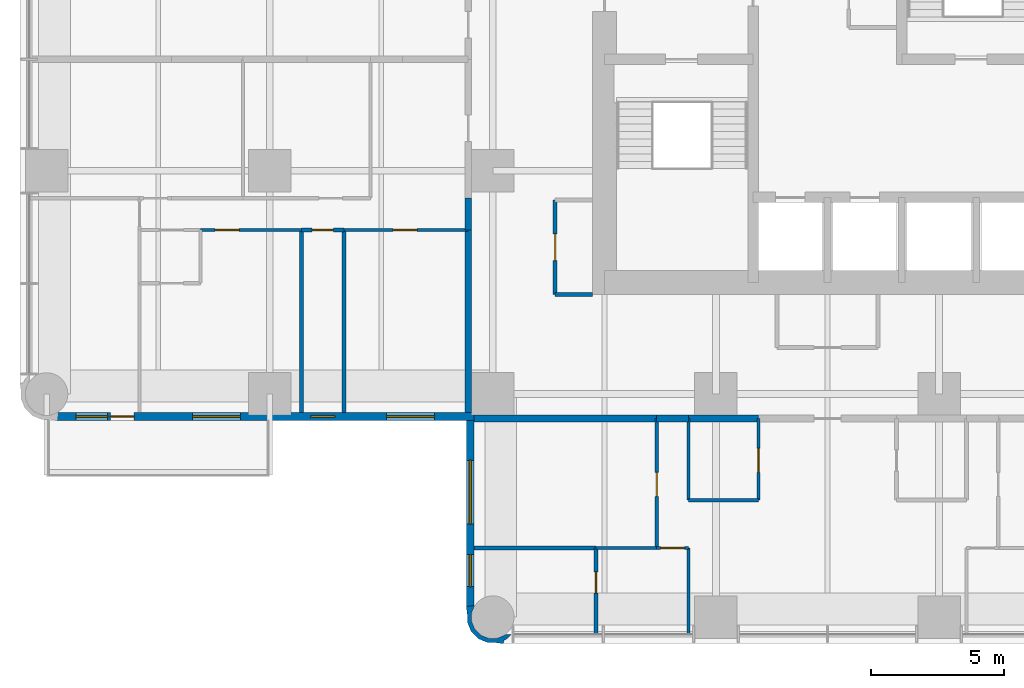
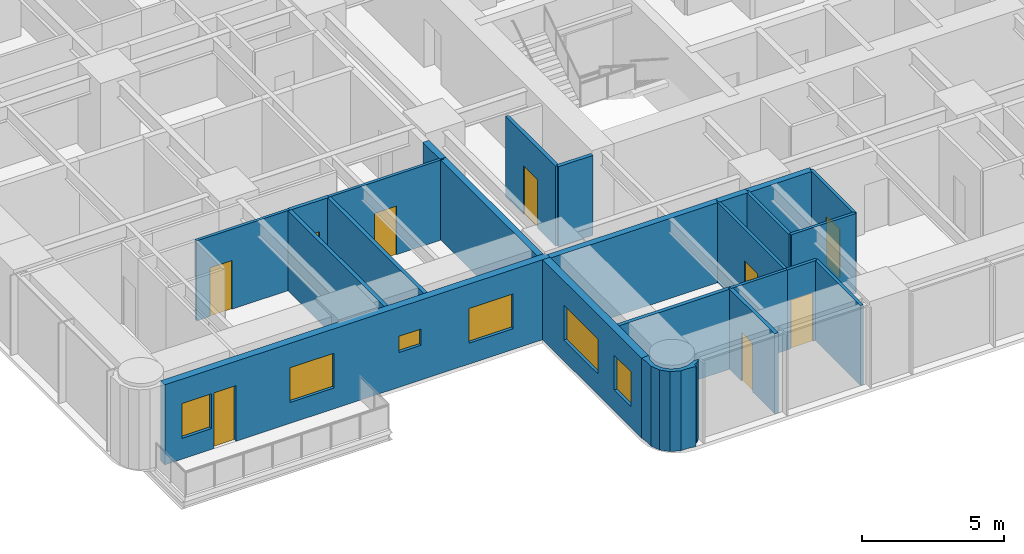
# One storey, part 6 of 15: 24 walls, 9 doors, 6 windows, 15 openings.
"""IFC4 building model written with IfcOpenShell, lengths in metres."""

import ifcopenshell
import ifcopenshell.guid

model = None  # the IFC model being written
_history = None  # IfcOwnerHistory: only IFC2X3 demands one
_inside = {}  # id of a spatial element -> (the spatial element, [elements in it])
_under = {}  # id of a project, library or spatial element -> (it, [spatial elements below it])
_declared = {}  # id of a project -> (the project, [libraries it declares])
_typed = {}  # id of a type object -> (the type object, [elements of that type])
_made_of = {}  # id of a material, layer set ... -> (it, [elements and type objects made of it])


def new_model(schema):
    """Start an empty IFC model of exactly this schema.

    Asked for "IFC4X3", IfcOpenShell would pick the latest addendum, in which some entities
    have other attributes; the version numbers below select the first issue.
    IFC2X3 requires an IfcOwnerHistory on every rooted entity: one is made here for all.
    """
    global model, _history
    if schema == "IFC4X3":
        model = ifcopenshell.file(schema_version=(4, 3, 0, 0))
    else:
        model = ifcopenshell.file(schema=schema)
    _inside.clear()
    _under.clear()
    _declared.clear()
    _typed.clear()
    _made_of.clear()
    _history = None
    if model.schema == "IFC2X3":
        org = make("IfcOrganization", Name="unknown")
        user = make(
            "IfcPersonAndOrganization",
            ThePerson=make("IfcPerson", FamilyName="unknown"),
            TheOrganization=org,
        )
        app = make(
            "IfcApplication",
            ApplicationDeveloper=org,
            Version="unknown",
            ApplicationFullName="unknown",
            ApplicationIdentifier="unknown",
        )
        _history = make(
            "IfcOwnerHistory",
            OwningUser=user,
            OwningApplication=app,
            ChangeAction="ADDED",
            CreationDate=0,
        )
    return model


def make(cls, **values):
    """One entity of the class cls with the attributes given. An attribute that is None is left unset."""
    return model.create_entity(
        cls, **{name: value for name, value in values.items() if value is not None}
    )


def rooted(cls, **values):
    """An entity with a GlobalId (a new one), such as an element, a storey or a relation."""
    return make(cls, GlobalId=ifcopenshell.guid.new(), OwnerHistory=_history, **values)


def si_unit(unit_type, name, prefix=None):
    """IfcSIUnit, for example si_unit("LENGTHUNIT", "METRE", prefix="MILLI")."""
    return make("IfcSIUnit", UnitType=unit_type, Prefix=prefix, Name=name)


def assignment(units):
    """IfcUnitAssignment: the units of a project."""
    return None if units is None else make("IfcUnitAssignment", Units=units)


def point(xyz):
    """IfcCartesianPoint."""
    return None if xyz is None else make("IfcCartesianPoint", Coordinates=xyz)


def direction(xyz):
    """IfcDirection."""
    return None if xyz is None else make("IfcDirection", DirectionRatios=xyz)


def frame(location, z_axis=None, x_axis=None):
    """IfcAxis2Placement3D, a coordinate frame: its origin and axes. An axis left out is left unset."""
    return make(
        "IfcAxis2Placement3D",
        Location=point(location),
        Axis=direction(z_axis),
        RefDirection=direction(x_axis),
    )


def frame_2d(location, x_axis=None):
    """IfcAxis2Placement2D, a coordinate frame in the plane: its origin and x axis."""
    return make(
        "IfcAxis2Placement2D", Location=point(location), RefDirection=direction(x_axis)
    )


def origin():
    """The frame at (0, 0, 0) with its axes left unset."""
    return frame((0.0, 0.0, 0.0))


def place(relative_to, where):
    """IfcLocalPlacement: puts the frame where relative to a parent placement (None: the world)."""
    return make(
        "IfcLocalPlacement", PlacementRelTo=relative_to, RelativePlacement=where
    )


def context(
    kind, dimensions, precision=None, world=None, true_north=None, identifier=None
):
    """IfcGeometricRepresentationContext, for example the 3D "Model" context."""
    return make(
        "IfcGeometricRepresentationContext",
        ContextIdentifier=identifier,
        ContextType=kind,
        CoordinateSpaceDimension=dimensions,
        Precision=precision,
        WorldCoordinateSystem=world,
        TrueNorth=true_north,
    )


def subcontext(parent, identifier, kind, view, scale=None):
    """IfcGeometricRepresentationSubContext, for example "Body" below "Model"."""
    return make(
        "IfcGeometricRepresentationSubContext",
        ContextIdentifier=identifier,
        ContextType=kind,
        ParentContext=parent,
        TargetScale=scale,
        TargetView=view,
    )


def project(units=None, contexts=None):
    """IfcProject with its units and contexts."""
    return rooted(
        "IfcProject",
        Name="project",
        RepresentationContexts=contexts,
        UnitsInContext=assignment(units),
    )


def spatial(cls, under=None, at=None, **own):
    """A site, building, storey or space (cls), placed at a placement, below another one or the project."""
    s = rooted(cls, ObjectPlacement=at, **own)
    if under is not None:
        _under.setdefault(under.id(), (under, []))[1].append(s)
    return s


def polyline(points):
    """IfcPolyline through the points."""
    return make("IfcPolyline", Points=[point(p) for p in points])


def profile(cls, at=None, kind="AREA", **sizes):
    """A parametric profile (cls). Its sizes go by their IFC names, for example OverallWidth=200.0."""
    return make(cls, ProfileType=kind, Position=at, **sizes)


def rectangle(**sizes):
    """IfcRectangleProfileDef."""
    return profile("IfcRectangleProfileDef", **sizes)


def outline(outer, holes=None, kind="AREA"):
    """IfcArbitraryClosedProfileDef: a profile drawn as a closed curve; with holes, ...WithVoids."""
    if holes is None:
        return make("IfcArbitraryClosedProfileDef", ProfileType=kind, OuterCurve=outer)
    return make(
        "IfcArbitraryProfileDefWithVoids",
        ProfileType=kind,
        OuterCurve=outer,
        InnerCurves=holes,
    )


def extrude(swept, where, along, depth):
    """IfcExtrudedAreaSolid: the profile swept, set in the frame where, extruded along a direction by depth."""
    return make(
        "IfcExtrudedAreaSolid",
        SweptArea=swept,
        Position=where,
        ExtrudedDirection=direction(along),
        Depth=depth,
    )


def shape(context_of_items, identifier, shape_type, items):
    """IfcShapeRepresentation: the items that make up one representation, for example the "Body"."""
    return make(
        "IfcShapeRepresentation",
        ContextOfItems=context_of_items,
        RepresentationIdentifier=identifier,
        RepresentationType=shape_type,
        Items=items,
    )


def material(Name=None, Category=None):
    """IfcMaterial."""
    return make("IfcMaterial", Name=Name, Category=Category)


def layer(
    of_material, thickness, ventilated=None, Name=None, Category=None, Priority=None
):
    """IfcMaterialLayer: one layer of a wall or slab, of a material (None: an air gap)."""
    return make(
        "IfcMaterialLayer",
        Material=of_material,
        LayerThickness=thickness,
        IsVentilated=ventilated,
        Name=Name,
        Category=Category,
        Priority=Priority,
    )


def layer_set(layers, Name=None):
    """IfcMaterialLayerSet."""
    return make("IfcMaterialLayerSet", MaterialLayers=layers, LayerSetName=Name)


def made_of(thing, what):
    """Note that an element or type object is made of a material, layer set ...; save() writes the relation."""
    if what is not None:
        _made_of.setdefault(what.id(), (what, []))[1].append(thing)
    return thing


def type_object(cls, material=None, **own):
    """A type object (cls), such as IfcWallType, which elements share."""
    return made_of(rooted(cls, **own), material)


def element(
    cls,
    number,
    at=None,
    inside=None,
    cuts=None,
    type_object=None,
    material=None,
    context=None,
    identifier="Body",
    shape_type=None,
    held_by="IfcProductDefinitionShape",
    body=None,
    shapes=None,
    **own,
):
    """One element of the class cls, such as IfcWall. Its Tag is "e" and its number.

    at: its placement. inside: the storey or other place that contains it. cuts: it is an
    opening in that element (IfcRelVoidsElement). A single representation is given by context,
    identifier, shape_type and body (its items); several are given by shapes. held_by: the class
    of the entity that holds the representations. save() writes the other relations.
    """
    e = rooted(cls, Tag="e%d" % number, ObjectPlacement=at, **own)
    if body is not None:
        shapes = [shape(context, identifier, shape_type, body)]
    if shapes is not None:
        e.Representation = make(held_by, Representations=shapes)
    if inside is not None:
        _inside.setdefault(inside.id(), (inside, []))[1].append(e)
    if cuts is not None:
        rooted(
            "IfcRelVoidsElement", RelatingBuildingElement=cuts, RelatedOpeningElement=e
        )
    if type_object is not None:
        _typed.setdefault(type_object.id(), (type_object, []))[1].append(e)
    return made_of(e, material)


def fill(opening, filler):
    """IfcRelFillsElement: the door or window that sits in an opening."""
    return rooted(
        "IfcRelFillsElement",
        RelatingOpeningElement=opening,
        RelatedBuildingElement=filler,
    )


def aggregate(whole, parts):
    """IfcRelAggregates: a whole, such as a stair, and the parts it consists of."""
    return rooted("IfcRelAggregates", RelatingObject=whole, RelatedObjects=parts)


def save(model, path):
    """Write the relations noted so far, then the file.

    IfcRelAggregates (storeys below a building ...), IfcRelContainedInSpatialStructure (elements
    in a storey), IfcRelDefinesByType, IfcRelAssociatesMaterial and IfcRelDeclares: one each for
    every whole, place, type object, material and project.
    """
    for whole, parts in _under.values():
        aggregate(whole, parts)
    for where, things in _inside.values():
        rooted(
            "IfcRelContainedInSpatialStructure",
            RelatedElements=things,
            RelatingStructure=where,
        )
    for kind, things in _typed.values():
        rooted("IfcRelDefinesByType", RelatedObjects=things, RelatingType=kind)
    for what, things in _made_of.values():
        rooted("IfcRelAssociatesMaterial", RelatedObjects=things, RelatingMaterial=what)
    for by, libraries in _declared.values():
        rooted("IfcRelDeclares", RelatingContext=by, RelatedDefinitions=libraries)
    model.write(path)


model = new_model("IFC4")

# Units and contexts
model_context = context("Model", 3, precision=1e-05, world=origin(), true_north=direction((0.0, 1.0)))
body_context = subcontext(model_context, "Body", "Model", "MODEL_VIEW")
ifc_project = project(units=[si_unit("LENGTHUNIT", "METRE"), si_unit("AREAUNIT", "SQUARE_METRE"), si_unit("VOLUMEUNIT", "CUBIC_METRE"), si_unit("PLANEANGLEUNIT", "RADIAN"), si_unit("MASSUNIT", "GRAM", prefix="KILO")], contexts=[model_context])

# Site, building, storey
site_placement = place(None, origin())
site = spatial("IfcSite", under=ifc_project, at=site_placement, CompositionType="ELEMENT")
building_placement = place(site_placement, origin())
building = spatial("IfcBuilding", under=site, at=building_placement, Name="Torre Alcanfor", CompositionType="ELEMENT")
storey_placement = place(building_placement, frame((0.0, 0.0, 119.699951171875)))
storey = spatial("IfcBuildingStorey", under=building, at=storey_placement, Name="L30", CompositionType="ELEMENT", Elevation=119.699951171875)

# Walls
ifc_material_1 = material(Name="Concrete block masonry, hollow blocks NMX-C-404 9 MPa", Category="masonry")
ifc_layer_1 = layer(ifc_material_1, 0.25)
ifc_layer_set_1 = layer_set([ifc_layer_1], Name="Apartment entrance wall 250 EI 60")
wall_type_1 = type_object("IfcWallType", Name="Apartment entrance wall 250 EI 60", PredefinedType="PARTITIONING", material=ifc_layer_set_1)
wall_1_placement = place(storey_placement, frame((26.800048828125, 15.875, 0.0), z_axis=(0.0, 0.0, 1.0), x_axis=(-1.0, 0.0, 0.0)))
element("IfcWall", 1, at=wall_1_placement, inside=storey, type_object=wall_type_1, Name="Partition L30-CORR / L30-SX-KITCHEN", PredefinedType="PARTITIONING", context=body_context, shape_type="SweptSolid", body=[
    extrude(rectangle(XDim=2.629150390625, YDim=0.25, at=frame_2d((1.314453125, 0.0))), origin(), (0.0, 0.0, 1.0), 3.449951171875),
])
wall_2_placement = place(storey_placement, frame((24.1708984375, 15.875, 0.0), z_axis=(0.0, 0.0, 1.0), x_axis=(-1.0, 0.0, 0.0)))
element("IfcWall", 2, at=wall_2_placement, inside=storey, type_object=wall_type_1, Name="Partition L30-CORR / L30-SX-LIVING", PredefinedType="PARTITIONING", context=body_context, shape_type="SweptSolid", body=[
    extrude(rectangle(XDim=1.199951171875, YDim=0.25, at=frame_2d((0.60009765625, 0.0))), origin(), (0.0, 0.0, 1.0), 3.449951171875),
])
wall_3_placement = place(storey_placement, frame((22.970947265625, 15.875, 0.0), z_axis=(0.0, 0.0, 1.0), x_axis=(-1.0, 0.0, 0.0)))
element("IfcWall", 3, at=wall_3_placement, inside=storey, type_object=wall_type_1, Name="Partition L30-CORR / L30-SX-BED3", PredefinedType="PARTITIONING", context=body_context, shape_type="SweptSolid", body=[
    extrude(rectangle(XDim=6.870849609375, YDim=0.25, at=frame_2d((3.435546875, 0.0))), origin(), (0.0, 0.0, 1.0), 3.449951171875),
])
wall_4_placement = place(storey_placement, frame((15.875, 22.970947265625, 0.0), z_axis=(0.0, 0.0, 1.0), x_axis=(0.0, 1.0, 0.0)))
element("IfcWall", 4, at=wall_4_placement, inside=storey, type_object=wall_type_1, Name="Partition L30-CORR / L30-W1-HALL", PredefinedType="PARTITIONING", context=body_context, shape_type="SweptSolid", body=[
    extrude(rectangle(XDim=1.199951171875, YDim=0.25, at=frame_2d((0.60009765625, 0.0))), origin(), (0.0, 0.0, 1.0), 3.449951171875),
])
wall_5_placement = place(storey_placement, frame((15.875, 16.10009765625, 0.0), z_axis=(0.0, 0.0, 1.0), x_axis=(0.0, 1.0, 0.0)))
element("IfcWall", 5, at=wall_5_placement, inside=storey, type_object=wall_type_1, Name="Partition L30-CORR / L30-W1-BED2", PredefinedType="PARTITIONING", context=body_context, shape_type="SweptSolid", body=[
    extrude(rectangle(XDim=6.870849609375, YDim=0.25, at=frame_2d((3.435546875, 0.0))), origin(), (0.0, 0.0, 1.0), 3.449951171875),
])

# Wall, opening, door
ifc_material_2 = material(Name="Gypsum board on steel studs", Category="steel")
ifc_layer_2 = layer(ifc_material_2, 0.1201171875)
ifc_layer_set_2 = layer_set([ifc_layer_2], Name="Apartment partition 120")
wall_type_2 = type_object("IfcWallType", Name="Apartment partition 120", PredefinedType="PARTITIONING", material=ifc_layer_set_2)
wall_6_placement = place(storey_placement, frame((26.800048828125, 15.875, 0.0), z_axis=(0.0, 0.0, 1.0), x_axis=(0.0, -1.0, 0.0)))
wall_6 = element("IfcWall", 6, at=wall_6_placement, inside=storey, type_object=wall_type_2, Name="Partition L30-SX-ZAG / L30-SX-KITCHEN", PredefinedType="PARTITIONING", context=body_context, shape_type="SweptSolid", body=[
    extrude(rectangle(XDim=3.074951171875, YDim=0.1201171875, at=frame_2d((1.53759765625, 0.0))), origin(), (0.0, 0.0, 1.0), 3.449951171875),
])
opening_1_placement = place(wall_6_placement, frame((1.125, 0.0, 0.0)))
opening_1 = element("IfcOpeningElement", 7, at=opening_1_placement, cuts=wall_6, Name="Opening D-R1", PredefinedType="OPENING", context=body_context, shape_type="SweptSolid", body=[
    extrude(rectangle(XDim=0.89990234375, YDim=2.10009765625, at=frame_2d((0.449951171875, 1.050048828125))), frame((0.0, 0.070068359375, 0.0), z_axis=(0.0, -1.0, 0.0), x_axis=(1.0, 0.0, 0.0)), (0.0, 0.0, 1.0), 0.14013671875),
])
ifc_material_3 = material(Name="Timber", Category="wood")
door_type_1 = type_object("IfcDoorType", Name="Internal door 900x2100", OperationType="SINGLE_SWING_LEFT", PredefinedType="DOOR", material=ifc_material_3)
door_1_placement = place(opening_1_placement, frame((0.89990234375, 0.0, 0.0), z_axis=(0.0, 0.0, 1.0), x_axis=(-1.0, 0.0, 0.0)))
door_1 = element("IfcDoor", 8, at=door_1_placement, inside=storey, type_object=door_type_1, Name="Door L30-SX kitchen", OperationType="SINGLE_SWING_LEFT", OverallHeight=2.10009765625, OverallWidth=0.89990234375, PredefinedType="DOOR", context=body_context, shape_type="SweptSolid", body=[
    extrude(rectangle(XDim=0.89990234375, YDim=2.10009765625, at=frame_2d((0.449951171875, 1.050048828125))), frame((0.0, 0.025146484375, 0.0), z_axis=(0.0, -1.0, 0.0), x_axis=(1.0, 0.0, 0.0)), (0.0, 0.0, 1.0), 0.050048828125),
])
fill(opening_1, door_1)

# Walls
wall_7_placement = place(storey_placement, frame((24.1708984375, 15.875, 0.0), z_axis=(0.0, 0.0, 1.0), x_axis=(0.0, -1.0, 0.0)))
element("IfcWall", 9, at=wall_7_placement, inside=storey, type_object=wall_type_2, Name="Partition L30-SX-KITCHEN / L30-SX-LIVING", PredefinedType="PARTITIONING", context=body_context, shape_type="SweptSolid", body=[
    extrude(rectangle(XDim=3.074951171875, YDim=0.1201171875, at=frame_2d((1.53759765625, 0.0))), origin(), (0.0, 0.0, 1.0), 3.449951171875),
])
wall_8_placement = place(storey_placement, frame((24.1708984375, 12.800048828125, 0.0), z_axis=(0.0, 0.0, 1.0), x_axis=(1.0, 0.0, 0.0)))
element("IfcWall", 10, at=wall_8_placement, inside=storey, type_object=wall_type_2, Name="Partition L30-SX-KITCHEN / L30-SX-LIVING", PredefinedType="PARTITIONING", context=body_context, shape_type="SweptSolid", body=[
    extrude(rectangle(XDim=2.629150390625, YDim=0.1201171875, at=frame_2d((1.314453125, 0.0))), origin(), (0.0, 0.0, 1.0), 3.449951171875),
])

# Wall, opening, door
wall_9_placement = place(storey_placement, frame((22.970947265625, 11.0, 0.0), z_axis=(0.0, 0.0, 1.0), x_axis=(0.0, 1.0, 0.0)))
wall_9 = element("IfcWall", 11, at=wall_9_placement, inside=storey, type_object=wall_type_2, Name="Partition L30-SX-LIVING / L30-SX-BED3", PredefinedType="PARTITIONING", context=body_context, shape_type="SweptSolid", body=[
    extrude(rectangle(XDim=4.875, YDim=0.1201171875, at=frame_2d((2.4375, 0.0))), origin(), (0.0, 0.0, 1.0), 3.449951171875),
])
opening_2_placement = place(wall_9_placement, frame((1.949951171875, 0.0, 0.0)))
opening_2 = element("IfcOpeningElement", 12, at=opening_2_placement, cuts=wall_9, Name="Opening D-R1", PredefinedType="OPENING", context=body_context, shape_type="SweptSolid", body=[
    extrude(rectangle(XDim=0.89990234375, YDim=2.10009765625, at=frame_2d((0.449951171875, 1.050048828125))), frame((0.0, 0.070068359375, 0.0), z_axis=(0.0, -1.0, 0.0), x_axis=(1.0, 0.0, 0.0)), (0.0, 0.0, 1.0), 0.14013671875),
])
door_2_placement = place(opening_2_placement, origin())
door_2 = element("IfcDoor", 13, at=door_2_placement, inside=storey, type_object=door_type_1, Name="Door L30-SX bed3", OperationType="SINGLE_SWING_LEFT", OverallHeight=2.10009765625, OverallWidth=0.89990234375, PredefinedType="DOOR", context=body_context, shape_type="SweptSolid", body=[
    extrude(rectangle(XDim=0.89990234375, YDim=2.10009765625, at=frame_2d((0.449951171875, 1.050048828125))), frame((0.0, 0.02490234375, 0.0), z_axis=(0.0, -1.0, 0.0), x_axis=(1.0, 0.0, 0.0)), (0.0, 0.0, 1.0), 0.050048828125),
])
fill(opening_2, door_2)

# Wall
wall_10_placement = place(storey_placement, frame((24.1708984375, 7.75, 0.0), z_axis=(0.0, 0.0, 1.0), x_axis=(0.0, 1.0, 0.0)))
element("IfcWall", 14, at=wall_10_placement, inside=storey, type_object=wall_type_2, Name="Partition L30-SX-LIVING / L30-SX-BED1", PredefinedType="PARTITIONING", context=body_context, shape_type="SweptSolid", body=[
    extrude(rectangle(XDim=3.25, YDim=0.1201171875, at=frame_2d((1.625, 0.0))), origin(), (0.0, 0.0, 1.0), 3.449951171875),
])

# Wall, opening, door
wall_11_placement = place(storey_placement, frame((24.1708984375, 11.0, 0.0), z_axis=(0.0, 0.0, 1.0), x_axis=(-1.0, 0.0, 0.0)))
wall_11 = element("IfcWall", 15, at=wall_11_placement, inside=storey, type_object=wall_type_2, Name="Partition L30-SX-LIVING / L30-SX-BED1", PredefinedType="PARTITIONING", context=body_context, shape_type="SweptSolid", body=[
    extrude(rectangle(XDim=1.199951171875, YDim=0.1201171875, at=frame_2d((0.60009765625, 0.0))), origin(), (0.0, 0.0, 1.0), 3.449951171875),
])
opening_3_placement = place(wall_11_placement, frame((0.15087890625, 0.0, 0.0)))
opening_3 = element("IfcOpeningElement", 16, at=opening_3_placement, cuts=wall_11, Name="Opening D-R1", PredefinedType="OPENING", context=body_context, shape_type="SweptSolid", body=[
    extrude(rectangle(XDim=0.89990234375, YDim=2.10009765625, at=frame_2d((0.449951171875, 1.050048828125))), frame((0.0, 0.070068359375, 0.0), z_axis=(0.0, -1.0, 0.0), x_axis=(1.0, 0.0, 0.0)), (0.0, 0.0, 1.0), 0.14013671875),
])
door_3_placement = place(opening_3_placement, origin())
door_3 = element("IfcDoor", 17, at=door_3_placement, inside=storey, type_object=door_type_1, Name="Door L30-SX bed1", OperationType="SINGLE_SWING_LEFT", OverallHeight=2.10009765625, OverallWidth=0.89990234375, PredefinedType="DOOR", context=body_context, shape_type="SweptSolid", body=[
    extrude(rectangle(XDim=0.89990234375, YDim=2.10009765625, at=frame_2d((0.449951171875, 1.050048828125))), frame((0.0, 0.02490234375, 0.0), z_axis=(0.0, -1.0, 0.0), x_axis=(1.0, 0.0, 0.0)), (0.0, 0.0, 1.0), 0.050048828125),
])
fill(opening_3, door_3)

# Wall
wall_12_placement = place(storey_placement, frame((20.68603515625, 11.0, 0.0), z_axis=(0.0, 0.0, 1.0), x_axis=(1.0, 0.0, 0.0)))
element("IfcWall", 18, at=wall_12_placement, inside=storey, type_object=wall_type_2, Name="Partition L30-SX-BED3 / L30-SX-BED1", PredefinedType="PARTITIONING", context=body_context, shape_type="SweptSolid", body=[
    extrude(rectangle(XDim=2.284912109375, YDim=0.1201171875, at=frame_2d((1.142578125, 0.0))), origin(), (0.0, 0.0, 1.0), 3.449951171875),
])

# Wall, opening, door
wall_13_placement = place(storey_placement, frame((11.199951171875, 22.970947265625, 0.0), z_axis=(0.0, 0.0, 1.0), x_axis=(1.0, 0.0, 0.0)))
wall_13 = element("IfcWall", 19, at=wall_13_placement, inside=storey, type_object=wall_type_2, Name="Partition L30-W1-HALL / L30-W1-BED2", PredefinedType="PARTITIONING", context=body_context, shape_type="SweptSolid", body=[
    extrude(rectangle(XDim=4.675048828125, YDim=0.1201171875, at=frame_2d((2.33740234375, 0.0))), origin(), (0.0, 0.0, 1.0), 3.449951171875),
])
opening_4_placement = place(wall_13_placement, frame((1.85009765625, 0.0, 0.0)))
opening_4 = element("IfcOpeningElement", 20, at=opening_4_placement, cuts=wall_13, Name="Opening D-R1", PredefinedType="OPENING", context=body_context, shape_type="SweptSolid", body=[
    extrude(rectangle(XDim=0.89990234375, YDim=2.10009765625, at=frame_2d((0.449951171875, 1.050048828125))), frame((0.0, 0.070068359375, 0.0), z_axis=(0.0, -1.0, 0.0), x_axis=(1.0, 0.0, 0.0)), (0.0, 0.0, 1.0), 0.14013671875),
])
door_4_placement = place(opening_4_placement, frame((0.89990234375, 0.0, 0.0), z_axis=(0.0, 0.0, 1.0), x_axis=(-1.0, 0.0, 0.0)))
door_4 = element("IfcDoor", 21, at=door_4_placement, inside=storey, type_object=door_type_1, Name="Door L30-W1 bed2", OperationType="SINGLE_SWING_RIGHT", OverallHeight=2.10009765625, OverallWidth=0.89990234375, PredefinedType="DOOR", context=body_context, shape_type="SweptSolid", body=[
    extrude(rectangle(XDim=0.89990234375, YDim=2.10009765625, at=frame_2d((0.449951171875, 1.050048828125))), frame((0.0, 0.025146484375, 0.0), z_axis=(0.0, -1.0, 0.0), x_axis=(1.0, 0.0, 0.0)), (0.0, 0.0, 1.0), 0.050048828125),
])
fill(opening_4, door_4)

wall_14_placement = place(storey_placement, frame((5.800048828125, 22.970947265625, 0.0), z_axis=(0.0, 0.0, 1.0), x_axis=(1.0, 0.0, 0.0)))
wall_14 = element("IfcWall", 22, at=wall_14_placement, inside=storey, type_object=wall_type_2, Name="Partition L30-W1-HALL / L30-W1-MASTER", PredefinedType="PARTITIONING", context=body_context, shape_type="SweptSolid", body=[
    extrude(rectangle(XDim=3.800048828125, YDim=0.1201171875, at=frame_2d((1.89990234375, 0.0))), origin(), (0.0, 0.0, 1.0), 3.449951171875),
])
opening_5_placement = place(wall_14_placement, frame((0.550048828125, 0.0, 0.0)))
opening_5 = element("IfcOpeningElement", 23, at=opening_5_placement, cuts=wall_14, Name="Opening D-R1", PredefinedType="OPENING", context=body_context, shape_type="SweptSolid", body=[
    extrude(rectangle(XDim=0.89990234375, YDim=2.10009765625, at=frame_2d((0.449951171875, 1.050048828125))), frame((0.0, 0.070068359375, 0.0), z_axis=(0.0, -1.0, 0.0), x_axis=(1.0, 0.0, 0.0)), (0.0, 0.0, 1.0), 0.14013671875),
])
door_5_placement = place(opening_5_placement, frame((0.89990234375, 0.0, 0.0), z_axis=(0.0, 0.0, 1.0), x_axis=(-1.0, 0.0, 0.0)))
door_5 = element("IfcDoor", 24, at=door_5_placement, inside=storey, type_object=door_type_1, Name="Door L30-W1 master", OperationType="SINGLE_SWING_RIGHT", OverallHeight=2.10009765625, OverallWidth=0.89990234375, PredefinedType="DOOR", context=body_context, shape_type="SweptSolid", body=[
    extrude(rectangle(XDim=0.89990234375, YDim=2.10009765625, at=frame_2d((0.449951171875, 1.050048828125))), frame((0.0, 0.025146484375, 0.0), z_axis=(0.0, -1.0, 0.0), x_axis=(1.0, 0.0, 0.0)), (0.0, 0.0, 1.0), 0.050048828125),
])
fill(opening_5, door_5)

# Wall, openings, door, windows
ifc_material_4 = material(Name="Limestone cladding", Category="masonry")
ifc_layer_3 = layer(ifc_material_4, 0.0400390625, Name="Facing")
ifc_material_5 = material(Name="Ventilated air cavity")
ifc_layer_4 = layer(ifc_material_5, 0.02001953125, ventilated=True, Name="Ventilated joint")
ifc_material_6 = material(Name="Mineral wool insulation", Category="insulation")
ifc_layer_5 = layer(ifc_material_6, 0.10009765625, Name="Insulation")
ifc_material_7 = material(Name="Concrete f'c 35 MPa", Category="concrete")
ifc_layer_6 = layer(ifc_material_7, 0.139892578125, Name="Backing")
ifc_layer_set_3 = layer_set([ifc_layer_3, ifc_layer_4, ifc_layer_5, ifc_layer_6], Name="External wall stone-clad 300")
wall_type_3 = type_object("IfcWallType", Name="External wall stone-clad 300", PredefinedType="SOLIDWALL", material=ifc_layer_set_3)
wall_15_placement = place(storey_placement, frame((0.39990234375, 15.949951171875, 0.0), z_axis=(0.0, 0.0, 1.0), x_axis=(1.0, 0.0, 0.0)))
wall_15 = element("IfcWall", 25, at=wall_15_placement, inside=storey, type_object=wall_type_3, Name="External wall L30 3", PredefinedType="SOLIDWALL", context=body_context, shape_type="SweptSolid", body=[
    extrude(rectangle(XDim=15.7001953125, YDim=0.300048828125, at=frame_2d((7.85009765625, 0.0))), origin(), (0.0, 0.0, 1.0), 3.449951171875),
])
opening_6_placement = place(wall_15_placement, frame((12.39990234375, 0.0, 0.89990234375)))
opening_6 = element("IfcOpeningElement", 26, at=opening_6_placement, cuts=wall_15, Name="Opening W2", PredefinedType="OPENING", context=body_context, shape_type="SweptSolid", body=[
    extrude(rectangle(XDim=1.800048828125, YDim=1.5, at=frame_2d((0.89990234375, 0.75))), frame((0.0, 0.159912109375, 0.0), z_axis=(0.0, -1.0, 0.0), x_axis=(1.0, 0.0, 0.0)), (0.0, 0.0, 1.0), 0.320068359375),
])
opening_7_placement = place(wall_15_placement, frame((9.550048828125, 0.0, 1.5)))
opening_7 = element("IfcOpeningElement", 27, at=opening_7_placement, cuts=wall_15, Name="Opening W3", PredefinedType="OPENING", context=body_context, shape_type="SweptSolid", body=[
    extrude(rectangle(XDim=0.89990234375, YDim=0.699951171875, at=frame_2d((0.449951171875, 0.35009765625))), frame((0.0, 0.159912109375, 0.0), z_axis=(0.0, -1.0, 0.0), x_axis=(1.0, 0.0, 0.0)), (0.0, 0.0, 1.0), 0.320068359375),
])
opening_8_placement = place(wall_15_placement, frame((5.10009765625, 0.0, 0.89990234375)))
opening_8 = element("IfcOpeningElement", 28, at=opening_8_placement, cuts=wall_15, Name="Opening W2", PredefinedType="OPENING", context=body_context, shape_type="SweptSolid", body=[
    extrude(rectangle(XDim=1.800048828125, YDim=1.5, at=frame_2d((0.89990234375, 0.75))), frame((0.0, 0.159912109375, 0.0), z_axis=(0.0, -1.0, 0.0), x_axis=(1.0, 0.0, 0.0)), (0.0, 0.0, 1.0), 0.320068359375),
])
opening_9_placement = place(wall_15_placement, frame((2.0, 0.0, 0.0)))
opening_9 = element("IfcOpeningElement", 29, at=opening_9_placement, cuts=wall_15, Name="Opening D-B1", PredefinedType="OPENING", context=body_context, shape_type="SweptSolid", body=[
    extrude(rectangle(XDim=0.89990234375, YDim=2.39990234375, at=frame_2d((0.449951171875, 1.199951171875))), frame((0.0, 0.159912109375, 0.0), z_axis=(0.0, -1.0, 0.0), x_axis=(1.0, 0.0, 0.0)), (0.0, 0.0, 1.0), 0.320068359375),
])
opening_10_placement = place(wall_15_placement, frame((0.699951171875, 0.0, 0.89990234375)))
opening_10 = element("IfcOpeningElement", 30, at=opening_10_placement, cuts=wall_15, Name="Opening W4", PredefinedType="OPENING", context=body_context, shape_type="SweptSolid", body=[
    extrude(rectangle(XDim=1.199951171875, YDim=1.5, at=frame_2d((0.60009765625, 0.75))), frame((0.0, 0.159912109375, 0.0), z_axis=(0.0, -1.0, 0.0), x_axis=(1.0, 0.0, 0.0)), (0.0, 0.0, 1.0), 0.320068359375),
])
ifc_material_8 = material(Name="Aluminium and glass", Category="aluminium")
door_type_2 = type_object("IfcDoorType", Name="Balcony door glazed 900x2400", OperationType="SINGLE_SWING_LEFT", PredefinedType="DOOR", material=ifc_material_8)
door_6_placement = place(opening_9_placement, origin())
door_6 = element("IfcDoor", 31, at=door_6_placement, inside=storey, type_object=door_type_2, Name="Balcony door L30-W1", OperationType="SINGLE_SWING_RIGHT", OverallHeight=2.39990234375, OverallWidth=0.89990234375, PredefinedType="DOOR", context=body_context, shape_type="SweptSolid", body=[
    extrude(rectangle(XDim=0.89990234375, YDim=2.39990234375, at=frame_2d((0.449951171875, 1.199951171875))), frame((0.0, 0.02490234375, 0.0), z_axis=(0.0, -1.0, 0.0), x_axis=(1.0, 0.0, 0.0)), (0.0, 0.0, 1.0), 0.050048828125),
])
fill(opening_9, door_6)
ifc_material_9 = material(Name="Aluminium frame with clear double glazing", Category="aluminium")
window_type_1 = type_object("IfcWindowType", Name="Window bathroom 900x700", PartitioningType="SINGLE_PANEL", PredefinedType="WINDOW", material=ifc_material_9)
window_1_placement = place(opening_7_placement, origin())
window_1 = element("IfcWindow", 32, at=window_1_placement, inside=storey, type_object=window_type_1, Name="Window W3 L30-W1", OverallHeight=0.699951171875, OverallWidth=0.89990234375, PartitioningType="SINGLE_PANEL", PredefinedType="WINDOW", context=body_context, shape_type="SweptSolid", body=[
    extrude(rectangle(XDim=0.89990234375, YDim=0.699951171875, at=frame_2d((0.449951171875, 0.35009765625))), frame((0.0, 0.030029296875, 0.0), z_axis=(0.0, -1.0, 0.0), x_axis=(1.0, 0.0, 0.0)), (0.0, 0.0, 1.0), 0.06005859375),
])
fill(opening_7, window_1)
ifc_material_10 = material(Name="Aluminium frame with clear double glazing", Category="aluminium")
window_type_2 = type_object("IfcWindowType", Name="Window bedroom 1200x1500", PartitioningType="SINGLE_PANEL", PredefinedType="WINDOW", material=ifc_material_10)
window_2_placement = place(opening_10_placement, origin())
window_2 = element("IfcWindow", 33, at=window_2_placement, inside=storey, type_object=window_type_2, Name="Window W4 L30-W1", OverallHeight=1.5, OverallWidth=1.199951171875, PartitioningType="SINGLE_PANEL", PredefinedType="WINDOW", context=body_context, shape_type="SweptSolid", body=[
    extrude(rectangle(XDim=1.199951171875, YDim=1.5, at=frame_2d((0.60009765625, 0.75))), frame((0.0, 0.030029296875, 0.0), z_axis=(0.0, -1.0, 0.0), x_axis=(1.0, 0.0, 0.0)), (0.0, 0.0, 1.0), 0.06005859375),
])
fill(opening_10, window_2)
ifc_material_11 = material(Name="Aluminium frame with clear double glazing", Category="aluminium")
window_type_3 = type_object("IfcWindowType", Name="Window bedroom 1800x1500", PartitioningType="SINGLE_PANEL", PredefinedType="WINDOW", material=ifc_material_11)
window_3_placement = place(opening_6_placement, origin())
window_3 = element("IfcWindow", 34, at=window_3_placement, inside=storey, type_object=window_type_3, Name="Window W2 L30-W1", OverallHeight=1.5, OverallWidth=1.800048828125, PartitioningType="SINGLE_PANEL", PredefinedType="WINDOW", context=body_context, shape_type="SweptSolid", body=[
    extrude(rectangle(XDim=1.800048828125, YDim=1.5, at=frame_2d((0.89990234375, 0.75))), frame((0.0, 0.030029296875, 0.0), z_axis=(0.0, -1.0, 0.0), x_axis=(1.0, 0.0, 0.0)), (0.0, 0.0, 1.0), 0.06005859375),
])
fill(opening_6, window_3)
window_4_placement = place(opening_8_placement, origin())
window_4 = element("IfcWindow", 35, at=window_4_placement, inside=storey, type_object=window_type_3, Name="Window W2 L30-W1", OverallHeight=1.5, OverallWidth=1.800048828125, PartitioningType="SINGLE_PANEL", PredefinedType="WINDOW", context=body_context, shape_type="SweptSolid", body=[
    extrude(rectangle(XDim=1.800048828125, YDim=1.5, at=frame_2d((0.89990234375, 0.75))), frame((0.0, 0.030029296875, 0.0), z_axis=(0.0, -1.0, 0.0), x_axis=(1.0, 0.0, 0.0)), (0.0, 0.0, 1.0), 0.06005859375),
])
fill(opening_8, window_4)

# Wall, openings, windows
wall_16_placement = place(storey_placement, frame((15.949951171875, 15.800048828125, 0.0), z_axis=(0.0, 0.0, 1.0), x_axis=(0.0, -1.0, 0.0)))
wall_16 = element("IfcWall", 36, at=wall_16_placement, inside=storey, type_object=wall_type_3, Name="External wall L30 4", PredefinedType="SOLIDWALL", context=body_context, shape_type="SweptSolid", body=[
    extrude(rectangle(XDim=7.0, YDim=0.300048828125, at=frame_2d((3.5, 0.0))), origin(), (0.0, 0.0, 1.0), 3.449951171875),
])
opening_11_placement = place(wall_16_placement, frame((1.5, 0.0, 0.89990234375)))
opening_11 = element("IfcOpeningElement", 37, at=opening_11_placement, cuts=wall_16, Name="Opening W1", PredefinedType="OPENING", context=body_context, shape_type="SweptSolid", body=[
    extrude(rectangle(XDim=2.39990234375, YDim=1.5, at=frame_2d((1.199951171875, 0.75))), frame((0.0, 0.159912109375, 0.0), z_axis=(0.0, -1.0, 0.0), x_axis=(1.0, 0.0, 0.0)), (0.0, 0.0, 1.0), 0.320068359375),
])
opening_12_placement = place(wall_16_placement, frame((5.050048828125, 0.0, 0.89990234375)))
opening_12 = element("IfcOpeningElement", 38, at=opening_12_placement, cuts=wall_16, Name="Opening W4", PredefinedType="OPENING", context=body_context, shape_type="SweptSolid", body=[
    extrude(rectangle(XDim=1.199951171875, YDim=1.5, at=frame_2d((0.60009765625, 0.75))), frame((0.0, 0.159912109375, 0.0), z_axis=(0.0, -1.0, 0.0), x_axis=(1.0, 0.0, 0.0)), (0.0, 0.0, 1.0), 0.320068359375),
])
window_5_placement = place(opening_12_placement, origin())
window_5 = element("IfcWindow", 39, at=window_5_placement, inside=storey, type_object=window_type_2, Name="Window W4 L30-S2", OverallHeight=1.5, OverallWidth=1.199951171875, PartitioningType="SINGLE_PANEL", PredefinedType="WINDOW", context=body_context, shape_type="SweptSolid", body=[
    extrude(rectangle(XDim=1.199951171875, YDim=1.5, at=frame_2d((0.60009765625, 0.75))), frame((0.0, 0.030029296875, 0.0), z_axis=(0.0, -1.0, 0.0), x_axis=(1.0, 0.0, 0.0)), (0.0, 0.0, 1.0), 0.06005859375),
])
fill(opening_12, window_5)
ifc_material_12 = material(Name="Aluminium frame with clear double glazing", Category="aluminium")
window_type_4 = type_object("IfcWindowType", Name="Window bedroom 2400x1500", PartitioningType="SINGLE_PANEL", PredefinedType="WINDOW", material=ifc_material_12)
window_6_placement = place(opening_11_placement, origin())
window_6 = element("IfcWindow", 40, at=window_6_placement, inside=storey, type_object=window_type_4, Name="Window W1 L30-S2", OverallHeight=1.5, OverallWidth=2.39990234375, PartitioningType="SINGLE_PANEL", PredefinedType="WINDOW", context=body_context, shape_type="SweptSolid", body=[
    extrude(rectangle(XDim=2.39990234375, YDim=1.5, at=frame_2d((1.199951171875, 0.75))), frame((0.0, 0.030029296875, 0.0), z_axis=(0.0, -1.0, 0.0), x_axis=(1.0, 0.0, 0.0)), (0.0, 0.0, 1.0), 0.06005859375),
])
fill(opening_11, window_6)

# Wall, opening, door
ifc_material_13 = material(Name="Concrete block masonry, hollow blocks NMX-C-404 9 MPa", Category="masonry")
ifc_layer_7 = layer(ifc_material_13, 0.14990234375)
ifc_layer_set_4 = layer_set([ifc_layer_7], Name="Residents' room partition 150")
wall_type_4 = type_object("IfcWallType", Name="Residents' room partition 150", PredefinedType="PARTITIONING", material=ifc_layer_set_4)
wall_17_placement = place(storey_placement, frame((19.14990234375, 24.10009765625, 0.0), z_axis=(0.0, 0.0, 1.0), x_axis=(0.0, -1.0, 0.0)))
wall_17 = element("IfcWall", 41, at=wall_17_placement, inside=storey, type_object=wall_type_4, Name="Partition L30-CORR / L30-G06", PredefinedType="PARTITIONING", context=body_context, shape_type="SweptSolid", body=[
    extrude(rectangle(XDim=3.550048828125, YDim=0.14990234375, at=frame_2d((1.77490234375, 0.0))), origin(), (0.0, 0.0, 1.0), 3.449951171875),
])
opening_13_placement = place(wall_17_placement, frame((1.27490234375, 0.0, 0.0)))
opening_13 = element("IfcOpeningElement", 42, at=opening_13_placement, cuts=wall_17, Name="Opening D-M1", PredefinedType="OPENING", context=body_context, shape_type="SweptSolid", body=[
    extrude(rectangle(XDim=1.0, YDim=2.10009765625, at=frame_2d((0.5, 1.050048828125))), frame((0.0, 0.0849609375, 0.0), z_axis=(0.0, -1.0, 0.0), x_axis=(1.0, 0.0, 0.0)), (0.0, 0.0, 1.0), 0.169921875),
])
ifc_material_14 = material(Name="Timber", Category="wood")
door_type_3 = type_object("IfcDoorType", Name="Residents' room door 1000x2100", OperationType="SINGLE_SWING_LEFT", PredefinedType="DOOR", material=ifc_material_14)
door_7_placement = place(opening_13_placement, origin())
door_7 = element("IfcDoor", 43, at=door_7_placement, inside=storey, type_object=door_type_3, Name="Door L30-G06 parcel room", OperationType="SINGLE_SWING_LEFT", OverallHeight=2.10009765625, OverallWidth=1.0, PredefinedType="DOOR", context=body_context, shape_type="SweptSolid", body=[
    extrude(rectangle(XDim=1.0, YDim=2.10009765625, at=frame_2d((0.5, 1.050048828125))), frame((0.0, 0.02490234375, 0.0), z_axis=(0.0, -1.0, 0.0), x_axis=(1.0, 0.0, 0.0)), (0.0, 0.0, 1.0), 0.050048828125),
])
fill(opening_13, door_7)

# Walls
wall_18_placement = place(storey_placement, frame((19.14990234375, 20.550048828125, 0.0), z_axis=(0.0, 0.0, 1.0), x_axis=(1.0, 0.0, 0.0)))
element("IfcWall", 44, at=wall_18_placement, inside=storey, type_object=wall_type_4, Name="Partition L30-CORR / L30-G06", PredefinedType="PARTITIONING", context=body_context, shape_type="SweptSolid", body=[
    extrude(rectangle(XDim=1.400146484375, YDim=0.14990234375, at=frame_2d((0.7001953125, 0.0))), origin(), (0.0, 0.0, 1.0), 3.449951171875),
])
ifc_layer_8 = layer(ifc_material_4, 0.0400390625, Name="Facing")
ifc_layer_9 = layer(ifc_material_5, 0.02001953125, ventilated=True, Name="Ventilated joint")
ifc_layer_10 = layer(ifc_material_6, 0.10009765625, Name="Insulation")
ifc_layer_11 = layer(ifc_material_7, 0.139892578125, Name="Backing")
ifc_layer_set_5 = layer_set([ifc_layer_8, ifc_layer_9, ifc_layer_10, ifc_layer_11], Name="Rounded corner pier stone-clad 300")
wall_type_5 = type_object("IfcWallType", Name="Rounded corner pier stone-clad 300", PredefinedType="SOLIDWALL", material=ifc_layer_set_5)
wall_19_placement = place(storey_placement, frame((15.982940512, 8.726823795, 0.0), z_axis=(0.0, 0.0, 1.0), x_axis=(-0.343276641956, -0.93923434088, 0.0)))
element("IfcWall", 45, at=wall_19_placement, inside=storey, type_object=wall_type_5, Name="Corner pier L30 15", PredefinedType="SOLIDWALL", context=body_context, shape_type="SweptSolid", body=[
    extrude(outline(polyline([(0.8285188621172053, 1.5985593448955209), (0.6965961152022397, 1.5690588556644411), (0.6041961706613557, 1.669674810951586), (0.3940973255728224, 1.767303623446145), (0.47128428534856764, 1.55611347990365), (0.5085447362659081, 1.5387992791780876), (0.7240402358503313, 1.3040772160031127), (0.8334093808094493, 1.0048338530031606), (0.8200582319080854, 0.6864716314609828), (0.6857640531711582, 0.3974683020769049), (0.4510419899961833, 0.18197280249248177), (0.15179862699623123, 0.07260365753336384), (-0.11622928371084919, 0.08407628105020303), (-0.1273371975026375, 0.0781969477675098), (-0.14614022874094865, 0.07132471030647711), (-0.0059930226407584886, -0.19691459363495123), (0.26574754989690047, -0.054967852634112954), (0.535410534485363, 0.043590089489965705), (0.8166395849446566, 0.30181686768145743), (0.9775598034528271, 0.6481198820896807), (0.9938114202888776, 1.0296668379252687), (0.8951696703908839, 1.299559127772735), (0.8285188621172053, 1.5985593448955209)])), origin(), (0.0, 0.0, 1.0), 3.449951171875),
])
ifc_material_15 = material(Name="Cement board on steel studs", Category="steel")
ifc_layer_12 = layer(ifc_material_15, 0.14990234375)
ifc_layer_set_6 = layer_set([ifc_layer_12], Name="Wet area partition 150")
wall_type_6 = type_object("IfcWallType", Name="Wet area partition 150", PredefinedType="PARTITIONING", material=ifc_layer_set_6)
wall_20_placement = place(storey_placement, frame((16.10009765625, 11.0, 0.0), z_axis=(0.0, 0.0, 1.0), x_axis=(1.0, 0.0, 0.0)))
element("IfcWall", 46, at=wall_20_placement, inside=storey, type_object=wall_type_6, Name="Partition L30-SX-BED3 / L30-SX-BATH1", PredefinedType="PARTITIONING", context=body_context, shape_type="SweptSolid", body=[
    extrude(rectangle(XDim=4.5859375, YDim=0.14990234375, at=frame_2d((2.29296875, 0.0))), origin(), (0.0, 0.0, 1.0), 3.449951171875),
])

# Wall, opening, door
wall_21_placement = place(storey_placement, frame((20.68603515625, 7.75, 0.0), z_axis=(0.0, 0.0, 1.0), x_axis=(0.0, 1.0, 0.0)))
wall_21 = element("IfcWall", 47, at=wall_21_placement, inside=storey, type_object=wall_type_6, Name="Partition L30-SX-BATH1 / L30-SX-BED1", PredefinedType="PARTITIONING", context=body_context, shape_type="SweptSolid", body=[
    extrude(rectangle(XDim=3.25, YDim=0.14990234375, at=frame_2d((1.625, 0.0))), origin(), (0.0, 0.0, 1.0), 3.449951171875),
])
opening_14_placement = place(wall_21_placement, frame((1.550048828125, 0.0, 0.0)))
opening_14 = element("IfcOpeningElement", 48, at=opening_14_placement, cuts=wall_21, Name="Opening D-R2", PredefinedType="OPENING", context=body_context, shape_type="SweptSolid", body=[
    extrude(rectangle(XDim=0.800048828125, YDim=2.10009765625, at=frame_2d((0.39990234375, 1.050048828125))), frame((0.0, 0.0849609375, 0.0), z_axis=(0.0, -1.0, 0.0), x_axis=(1.0, 0.0, 0.0)), (0.0, 0.0, 1.0), 0.169921875),
])
ifc_material_16 = material(Name="Timber", Category="wood")
door_type_4 = type_object("IfcDoorType", Name="Bathroom door 800x2100", OperationType="SINGLE_SWING_LEFT", PredefinedType="DOOR", material=ifc_material_16)
door_8_placement = place(opening_14_placement, frame((0.800048828125, 0.0, 0.0), z_axis=(0.0, 0.0, 1.0), x_axis=(-1.0, 0.0, 0.0)))
door_8 = element("IfcDoor", 49, at=door_8_placement, inside=storey, type_object=door_type_4, Name="Door L30-SX bath1", OperationType="SINGLE_SWING_LEFT", OverallHeight=2.10009765625, OverallWidth=0.800048828125, PredefinedType="DOOR", context=body_context, shape_type="SweptSolid", body=[
    extrude(rectangle(XDim=0.800048828125, YDim=2.10009765625, at=frame_2d((0.400146484375, 1.050048828125))), frame((0.0, 0.025146484375, 0.0), z_axis=(0.0, -1.0, 0.0), x_axis=(1.0, 0.0, 0.0)), (0.0, 0.0, 1.0), 0.050048828125),
])
fill(opening_14, door_8)

wall_22_placement = place(storey_placement, frame((9.60009765625, 22.970947265625, 0.0), z_axis=(0.0, 0.0, 1.0), x_axis=(1.0, 0.0, 0.0)))
wall_22 = element("IfcWall", 50, at=wall_22_placement, inside=storey, type_object=wall_type_6, Name="Partition L30-W1-HALL / L30-W1-BATH1", PredefinedType="PARTITIONING", context=body_context, shape_type="SweptSolid", body=[
    extrude(rectangle(XDim=1.599853515625, YDim=0.14990234375, at=frame_2d((0.7998046875, 0.0))), origin(), (0.0, 0.0, 1.0), 3.449951171875),
])
opening_15_placement = place(wall_22_placement, frame((0.39990234375, 0.0, 0.0)))
opening_15 = element("IfcOpeningElement", 51, at=opening_15_placement, cuts=wall_22, Name="Opening D-R2", PredefinedType="OPENING", context=body_context, shape_type="SweptSolid", body=[
    extrude(rectangle(XDim=0.800048828125, YDim=2.10009765625, at=frame_2d((0.39990234375, 1.050048828125))), frame((0.0, 0.0849609375, 0.0), z_axis=(0.0, -1.0, 0.0), x_axis=(1.0, 0.0, 0.0)), (0.0, 0.0, 1.0), 0.169921875),
])
door_9_placement = place(opening_15_placement, frame((0.800048828125, 0.0, 0.0), z_axis=(0.0, 0.0, 1.0), x_axis=(-1.0, 0.0, 0.0)))
door_9 = element("IfcDoor", 52, at=door_9_placement, inside=storey, type_object=door_type_4, Name="Door L30-W1 bath1", OperationType="SINGLE_SWING_RIGHT", OverallHeight=2.10009765625, OverallWidth=0.800048828125, PredefinedType="DOOR", context=body_context, shape_type="SweptSolid", body=[
    extrude(rectangle(XDim=0.800048828125, YDim=2.10009765625, at=frame_2d((0.400146484375, 1.050048828125))), frame((0.0, 0.025146484375, 0.0), z_axis=(0.0, -1.0, 0.0), x_axis=(1.0, 0.0, 0.0)), (0.0, 0.0, 1.0), 0.050048828125),
])
fill(opening_15, door_9)

# Walls
for number, where, z_axis, x_axis, name in (
    (53, (11.199951171875, 22.970947265625, 0.0), (0.0, 0.0, 1.0), (0.0, -1.0, 0.0), "Partition L30-W1-BED2 / L30-W1-BATH1"),
    (54, (9.60009765625, 22.970947265625, 0.0), (0.0, 0.0, 1.0), (0.0, -1.0, 0.0), "Partition L30-W1-BATH1 / L30-W1-MASTER"),
):
    element("IfcWall", number, at=place(storey_placement, frame(where, z_axis=z_axis, x_axis=x_axis)), inside=storey, type_object=wall_type_6, Name=name, PredefinedType="PARTITIONING", context=body_context, shape_type="SweptSolid", body=[
        extrude(rectangle(XDim=6.870849609375, YDim=0.14990234375, at=frame_2d((3.435546875, 0.0))), origin(), (0.0, 0.0, 1.0), 3.449951171875),
    ])

save(model, "model.ifc")
